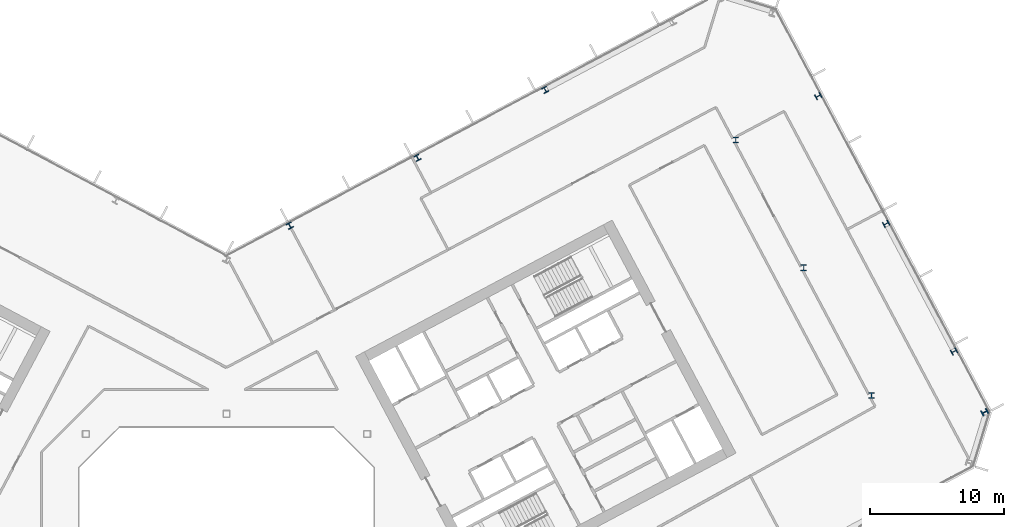
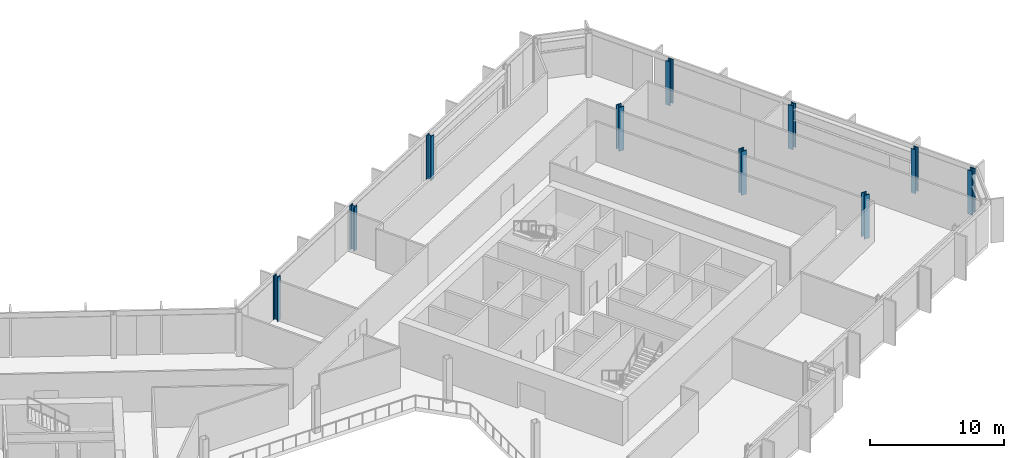
# One storey, part 7 of 28: 10 columns.
"""IFC4 building model written with IfcOpenShell, lengths in metres."""

import ifcopenshell
import ifcopenshell.guid

model = None  # the IFC model being written
_history = None  # IfcOwnerHistory: only IFC2X3 demands one
_inside = {}  # id of a spatial element -> (the spatial element, [elements in it])
_under = {}  # id of a project, library or spatial element -> (it, [spatial elements below it])
_declared = {}  # id of a project -> (the project, [libraries it declares])
_typed = {}  # id of a type object -> (the type object, [elements of that type])
_made_of = {}  # id of a material, layer set ... -> (it, [elements and type objects made of it])


def new_model(schema):
    """Start an empty IFC model of exactly this schema.

    Asked for "IFC4X3", IfcOpenShell would pick the latest addendum, in which some entities
    have other attributes; the version numbers below select the first issue.
    IFC2X3 requires an IfcOwnerHistory on every rooted entity: one is made here for all.
    """
    global model, _history
    if schema == "IFC4X3":
        model = ifcopenshell.file(schema_version=(4, 3, 0, 0))
    else:
        model = ifcopenshell.file(schema=schema)
    _inside.clear()
    _under.clear()
    _declared.clear()
    _typed.clear()
    _made_of.clear()
    _history = None
    if model.schema == "IFC2X3":
        org = make("IfcOrganization", Name="unknown")
        user = make(
            "IfcPersonAndOrganization",
            ThePerson=make("IfcPerson", FamilyName="unknown"),
            TheOrganization=org,
        )
        app = make(
            "IfcApplication",
            ApplicationDeveloper=org,
            Version="unknown",
            ApplicationFullName="unknown",
            ApplicationIdentifier="unknown",
        )
        _history = make(
            "IfcOwnerHistory",
            OwningUser=user,
            OwningApplication=app,
            ChangeAction="ADDED",
            CreationDate=0,
        )
    return model


def make(cls, **values):
    """One entity of the class cls with the attributes given. An attribute that is None is left unset."""
    return model.create_entity(
        cls, **{name: value for name, value in values.items() if value is not None}
    )


def rooted(cls, **values):
    """An entity with a GlobalId (a new one), such as an element, a storey or a relation."""
    return make(cls, GlobalId=ifcopenshell.guid.new(), OwnerHistory=_history, **values)


def si_unit(unit_type, name, prefix=None):
    """IfcSIUnit, for example si_unit("LENGTHUNIT", "METRE", prefix="MILLI")."""
    return make("IfcSIUnit", UnitType=unit_type, Prefix=prefix, Name=name)


def assignment(units):
    """IfcUnitAssignment: the units of a project."""
    return None if units is None else make("IfcUnitAssignment", Units=units)


def point(xyz):
    """IfcCartesianPoint."""
    return None if xyz is None else make("IfcCartesianPoint", Coordinates=xyz)


def direction(xyz):
    """IfcDirection."""
    return None if xyz is None else make("IfcDirection", DirectionRatios=xyz)


def frame(location, z_axis=None, x_axis=None):
    """IfcAxis2Placement3D, a coordinate frame: its origin and axes. An axis left out is left unset."""
    return make(
        "IfcAxis2Placement3D",
        Location=point(location),
        Axis=direction(z_axis),
        RefDirection=direction(x_axis),
    )


def frame_2d(location, x_axis=None):
    """IfcAxis2Placement2D, a coordinate frame in the plane: its origin and x axis."""
    return make(
        "IfcAxis2Placement2D", Location=point(location), RefDirection=direction(x_axis)
    )


def origin():
    """The frame at (0, 0, 0) with its axes left unset."""
    return frame((0.0, 0.0, 0.0))


def origin_2d():
    """The frame at (0, 0) in the plane with its x axis left unset."""
    return frame_2d((0.0, 0.0))


def place(relative_to, where):
    """IfcLocalPlacement: puts the frame where relative to a parent placement (None: the world)."""
    return make(
        "IfcLocalPlacement", PlacementRelTo=relative_to, RelativePlacement=where
    )


def context(
    kind, dimensions, precision=None, world=None, true_north=None, identifier=None
):
    """IfcGeometricRepresentationContext, for example the 3D "Model" context."""
    return make(
        "IfcGeometricRepresentationContext",
        ContextIdentifier=identifier,
        ContextType=kind,
        CoordinateSpaceDimension=dimensions,
        Precision=precision,
        WorldCoordinateSystem=world,
        TrueNorth=true_north,
    )


def subcontext(parent, identifier, kind, view, scale=None):
    """IfcGeometricRepresentationSubContext, for example "Body" below "Model"."""
    return make(
        "IfcGeometricRepresentationSubContext",
        ContextIdentifier=identifier,
        ContextType=kind,
        ParentContext=parent,
        TargetScale=scale,
        TargetView=view,
    )


def project(units=None, contexts=None):
    """IfcProject with its units and contexts."""
    return rooted(
        "IfcProject",
        Name="project",
        RepresentationContexts=contexts,
        UnitsInContext=assignment(units),
    )


def spatial(cls, under=None, at=None, **own):
    """A site, building, storey or space (cls), placed at a placement, below another one or the project."""
    s = rooted(cls, ObjectPlacement=at, **own)
    if under is not None:
        _under.setdefault(under.id(), (under, []))[1].append(s)
    return s


def profile(cls, at=None, kind="AREA", **sizes):
    """A parametric profile (cls). Its sizes go by their IFC names, for example OverallWidth=200.0."""
    return make(cls, ProfileType=kind, Position=at, **sizes)


def i_section(**sizes):
    """IfcIShapeProfileDef."""
    return profile("IfcIShapeProfileDef", **sizes)


def extrude(swept, where, along, depth):
    """IfcExtrudedAreaSolid: the profile swept, set in the frame where, extruded along a direction by depth."""
    return make(
        "IfcExtrudedAreaSolid",
        SweptArea=swept,
        Position=where,
        ExtrudedDirection=direction(along),
        Depth=depth,
    )


def shape(context_of_items, identifier, shape_type, items):
    """IfcShapeRepresentation: the items that make up one representation, for example the "Body"."""
    return make(
        "IfcShapeRepresentation",
        ContextOfItems=context_of_items,
        RepresentationIdentifier=identifier,
        RepresentationType=shape_type,
        Items=items,
    )


def material(Name=None, Category=None):
    """IfcMaterial."""
    return make("IfcMaterial", Name=Name, Category=Category)


def material_profile(
    of_material, cross_section, Name=None, Category=None, Priority=None
):
    """IfcMaterialProfile: a cross section and its material."""
    return make(
        "IfcMaterialProfile",
        Name=Name,
        Material=of_material,
        Profile=cross_section,
        Priority=Priority,
        Category=Category,
    )


def profile_set(profiles, Name=None, composite=None):
    """IfcMaterialProfileSet."""
    return make(
        "IfcMaterialProfileSet",
        Name=Name,
        MaterialProfiles=profiles,
        CompositeProfile=composite,
    )


def made_of(thing, what):
    """Note that an element or type object is made of a material, layer set ...; save() writes the relation."""
    if what is not None:
        _made_of.setdefault(what.id(), (what, []))[1].append(thing)
    return thing


def type_object(cls, material=None, **own):
    """A type object (cls), such as IfcWallType, which elements share."""
    return made_of(rooted(cls, **own), material)


def element(
    cls,
    number,
    at=None,
    inside=None,
    cuts=None,
    type_object=None,
    material=None,
    context=None,
    identifier="Body",
    shape_type=None,
    held_by="IfcProductDefinitionShape",
    body=None,
    shapes=None,
    **own,
):
    """One element of the class cls, such as IfcWall. Its Tag is "e" and its number.

    at: its placement. inside: the storey or other place that contains it. cuts: it is an
    opening in that element (IfcRelVoidsElement). A single representation is given by context,
    identifier, shape_type and body (its items); several are given by shapes. held_by: the class
    of the entity that holds the representations. save() writes the other relations.
    """
    e = rooted(cls, Tag="e%d" % number, ObjectPlacement=at, **own)
    if body is not None:
        shapes = [shape(context, identifier, shape_type, body)]
    if shapes is not None:
        e.Representation = make(held_by, Representations=shapes)
    if inside is not None:
        _inside.setdefault(inside.id(), (inside, []))[1].append(e)
    if cuts is not None:
        rooted(
            "IfcRelVoidsElement", RelatingBuildingElement=cuts, RelatedOpeningElement=e
        )
    if type_object is not None:
        _typed.setdefault(type_object.id(), (type_object, []))[1].append(e)
    return made_of(e, material)


def aggregate(whole, parts):
    """IfcRelAggregates: a whole, such as a stair, and the parts it consists of."""
    return rooted("IfcRelAggregates", RelatingObject=whole, RelatedObjects=parts)


def save(model, path):
    """Write the relations noted so far, then the file.

    IfcRelAggregates (storeys below a building ...), IfcRelContainedInSpatialStructure (elements
    in a storey), IfcRelDefinesByType, IfcRelAssociatesMaterial and IfcRelDeclares: one each for
    every whole, place, type object, material and project.
    """
    for whole, parts in _under.values():
        aggregate(whole, parts)
    for where, things in _inside.values():
        rooted(
            "IfcRelContainedInSpatialStructure",
            RelatedElements=things,
            RelatingStructure=where,
        )
    for kind, things in _typed.values():
        rooted("IfcRelDefinesByType", RelatedObjects=things, RelatingType=kind)
    for what, things in _made_of.values():
        rooted("IfcRelAssociatesMaterial", RelatedObjects=things, RelatingMaterial=what)
    for by, libraries in _declared.values():
        rooted("IfcRelDeclares", RelatingContext=by, RelatedDefinitions=libraries)
    model.write(path)


model = new_model("IFC4")

# Units and contexts
model_context = context("Model", 3, precision=1e-05, world=origin(), true_north=direction((0.0, 1.0)))
body_context = subcontext(model_context, "Body", "Model", "MODEL_VIEW")
ifc_project = project(units=[si_unit("LENGTHUNIT", "METRE"), si_unit("AREAUNIT", "SQUARE_METRE"), si_unit("VOLUMEUNIT", "CUBIC_METRE"), si_unit("PLANEANGLEUNIT", "RADIAN"), si_unit("MASSUNIT", "GRAM", prefix="KILO")], contexts=[model_context])

# Site, building, storey
site_placement = place(None, origin())
site = spatial("IfcSite", under=ifc_project, at=site_placement, CompositionType="ELEMENT")
building_placement = place(site_placement, origin())
building = spatial("IfcBuilding", under=site, at=building_placement, Name="Cormorant Relay Tower", CompositionType="ELEMENT")
storey_placement = place(building_placement, frame((0.0, 0.0, 122.199951171875)))
storey = spatial("IfcBuildingStorey", under=building, at=storey_placement, Name="L24", CompositionType="ELEMENT", Elevation=122.199951171875)

# Columns
ifc_material_1 = material(Name="Steel ASTM A992 (Fy 345 MPa)", Category="steel")
ifc_material_profile_1 = material_profile(ifc_material_1, i_section(OverallWidth=0.41162109375, OverallDepth=0.434326171875, WebThickness=0.035888671875, FlangeThickness=0.057373046875, FilletRadius=0.01513671875, at=origin_2d()), Name="W360x463")
ifc_profile_set_1 = profile_set([ifc_material_profile_1], Name="Steel ASTM A992 (Fy 345 MPa)")
column_type_1 = type_object("IfcColumnType", Name="Column W360x463", PredefinedType="COLUMN", material=ifc_profile_set_1)
for number, where, z_axis, x_axis, name in (
    (1, (54.321044921875, 16.65087890625, 0.0), (0.0, 0.0, 1.0), (-0.469471562786, 0.882947592859, 0.0), "Column L24-029"),
    (2, (4.72509765625, 26.047119140625, 0.0), (0.0, 0.0, 1.0), (-0.882947592859, -0.469471562786, 0.0), "Column L24-034"),
    (3, (49.2509765625, 26.18701171875, 0.0), (0.0, 0.0, 1.0), (-0.469471562786, 0.882947592859, 0.0), "Column L24-035"),
    (4, (14.260986328125, 31.116943359375, 0.0), (0.0, 0.0, 1.0), (-0.882947592859, -0.469471562786, 0.0), "Column L24-038"),
    (5, (44.180908203125, 35.722900390625, 0.0), (0.0, 0.0, 1.0), (-0.469471562786, 0.882947592859, 0.0), "Column L24-042"),
    (6, (23.7958984375, 36.18798828125, 0.0), (0.0, 0.0, 1.0), (-0.882947592859, -0.469471562786, 0.0), "Column L24-043"),
):
    element("IfcColumn", number, at=place(storey_placement, frame(where, z_axis=z_axis, x_axis=x_axis)), inside=storey, type_object=column_type_1, Name=name, PredefinedType="COLUMN", context=body_context, shape_type="SweptSolid", body=[
        extrude(i_section(OverallWidth=0.41162109375, OverallDepth=0.434326171875, WebThickness=0.035888671875, FlangeThickness=0.057373046875, FilletRadius=0.01513671875, at=origin_2d()), origin(), (0.0, 0.0, 1.0), 4.0),
    ])
ifc_material_2 = material(Name="Steel ASTM A992 (Fy 345 MPa)", Category="steel")
ifc_material_profile_2 = material_profile(ifc_material_2, i_section(OverallWidth=0.42431640625, OverallDepth=0.47509765625, WebThickness=0.0478515625, FlangeThickness=0.0771484375, FilletRadius=0.014892578125, at=origin_2d()), Name="W360x634")
ifc_profile_set_2 = profile_set([ifc_material_profile_2], Name="Steel ASTM A992 (Fy 345 MPa)")
column_type_2 = type_object("IfcColumnType", Name="Column W360x634", PredefinedType="COLUMN", material=ifc_profile_set_2)
for number, where, z_axis, x_axis, name in (
    (7, (56.60791015625, 12.1298828125, 0.0), (0.0, 0.0, 1.0), (-0.469471562786, 0.882947592859, 0.0), "Column L24-026"),
    (8, (48.157958984375, 13.3740234375, 0.0), (0.0, 0.0, 1.0), (1.0, 0.0, 0.0), "Column L24-027"),
    (9, (43.087890625, 22.909912109375, 0.0), (0.0, 0.0, 1.0), (1.0, 0.0, 0.0), "Column L24-031"),
    (10, (38.01806640625, 32.446044921875, 0.0), (0.0, 0.0, 1.0), (1.0, 0.0, 0.0), "Column L24-039"),
):
    element("IfcColumn", number, at=place(storey_placement, frame(where, z_axis=z_axis, x_axis=x_axis)), inside=storey, type_object=column_type_2, Name=name, PredefinedType="COLUMN", context=body_context, shape_type="SweptSolid", body=[
        extrude(i_section(OverallWidth=0.42431640625, OverallDepth=0.47509765625, WebThickness=0.0478515625, FlangeThickness=0.0771484375, FilletRadius=0.014892578125, at=origin_2d()), origin(), (0.0, 0.0, 1.0), 4.0),
    ])

save(model, "model.ifc")
